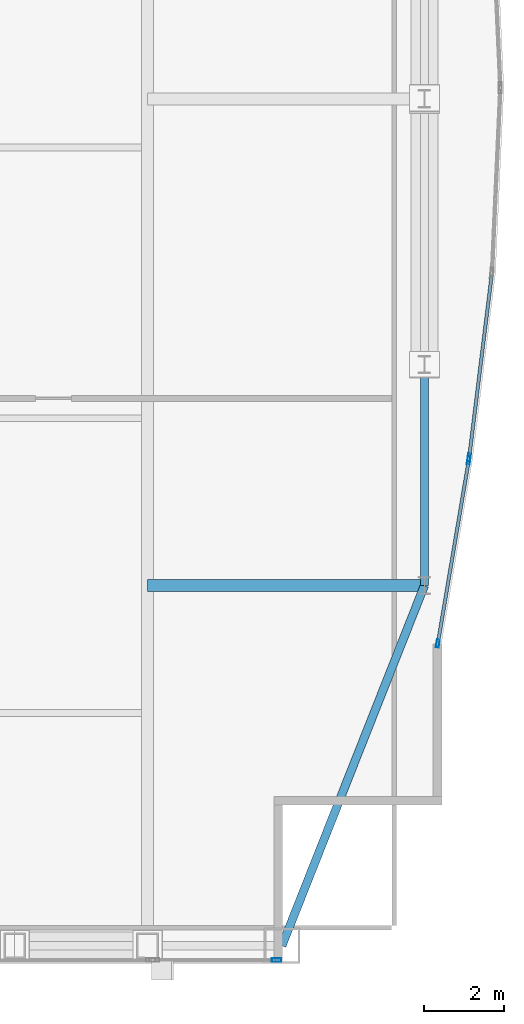
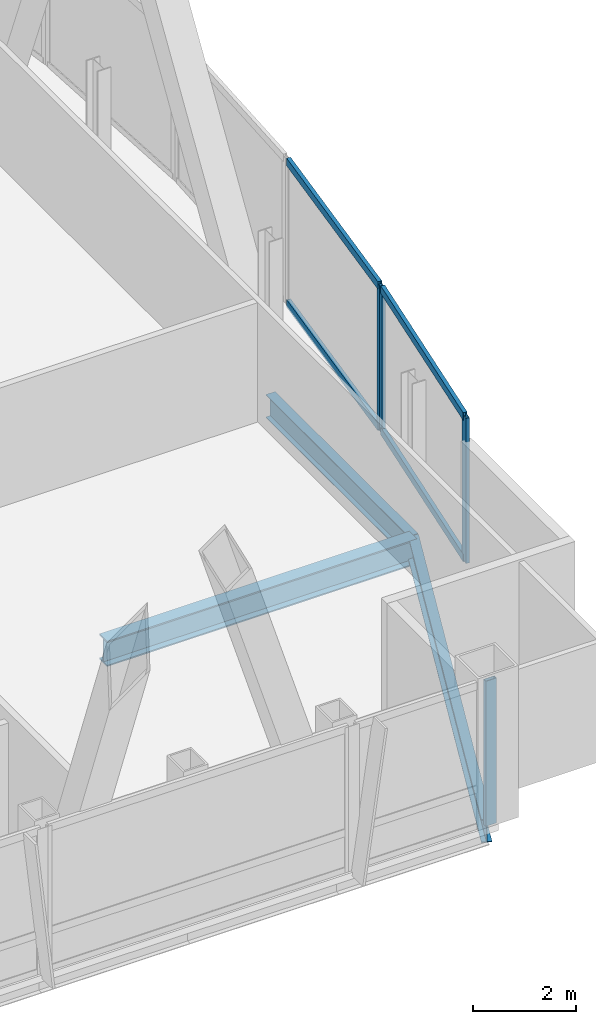
# One storey, part 15 of 29: 8 members, 3 beams, 3 elements without a shape of their own.
"""IFC4 building model written with IfcOpenShell, lengths in metres."""

from ifc_helpers import new_model, si_unit, direction, frame, origin, origin_2d, place, context, subcontext, project, spatial, hollow_rectangle, i_section, extrude, material, material_profile, profile_set, type_object, element, aggregate, save


model = new_model("IFC4")

# Units and contexts
model_context = context("Model", 3, precision=1e-05, world=origin(), true_north=direction((0.0, 1.0)))
body_context = subcontext(model_context, "Body", "Model", "MODEL_VIEW")
ifc_project = project(units=[si_unit("LENGTHUNIT", "METRE"), si_unit("AREAUNIT", "SQUARE_METRE"), si_unit("VOLUMEUNIT", "CUBIC_METRE"), si_unit("PLANEANGLEUNIT", "RADIAN"), si_unit("MASSUNIT", "GRAM", prefix="KILO")], contexts=[model_context])

# Site, building, storey
site_placement = place(None, origin())
site = spatial("IfcSite", under=ifc_project, at=site_placement, CompositionType="ELEMENT")
building_placement = place(site_placement, origin())
building = spatial("IfcBuilding", under=site, at=building_placement, Name="Khoronbel Lancet Exchange", CompositionType="ELEMENT")
storey_placement = place(building_placement, frame((0.0, 0.0, 336.199951171875)))
storey = spatial("IfcBuildingStorey", under=building, at=storey_placement, Name="L87", CompositionType="ELEMENT", Elevation=336.199951171875)

# Beams
ifc_material_1 = material(Name="Steel S355", Category="steel")
ifc_material_profile_1 = material_profile(ifc_material_1, i_section(OverallWidth=0.300048828125, OverallDepth=0.60009765625, WebThickness=0.015380859375, FlangeThickness=0.030029296875, at=origin_2d()), Name="HEB 600")
ifc_profile_set_1 = profile_set([ifc_material_profile_1], Name="Steel S355")
beam_type_1 = type_object("IfcBeamType", Name="BM-BG5", PredefinedType="BEAM", material=ifc_profile_set_1)
beam_1_placement = place(storey_placement, frame((54.675048828125, 19.199951171875, -0.4599609375), z_axis=(1.0, 0.0, 0.0), x_axis=(0.0, 1.0, 0.0)))
element("IfcBeam", 1, at=beam_1_placement, inside=storey, type_object=beam_type_1, Name="Level L87 east lens tie girder LG1E", PredefinedType="BEAM", context=body_context, shape_type="SweptSolid", body=[
    extrude(i_section(OverallWidth=0.300048828125, OverallDepth=0.60009765625, WebThickness=0.015380859375, FlangeThickness=0.030029296875, at=origin_2d()), origin(), (0.0, 0.0, 1.0), 6.954833984375),
])
ifc_material_profile_2 = material_profile(ifc_material_1, i_section(OverallWidth=0.2099609375, OverallDepth=0.550048828125, WebThickness=0.010986328125, FlangeThickness=0.01708984375, at=origin_2d()), Name="IPE 550")
ifc_profile_set_2 = profile_set([ifc_material_profile_2], Name="Steel S355")
beam_type_2 = type_object("IfcBeamType", Name="BM-BSP3", PredefinedType="SPANDREL", material=ifc_profile_set_2)
beam_2_placement = place(storey_placement, frame((58.050048828125, 10.14990234375, -0.43505859375), z_axis=(0.367828403855, 0.929893684954, 0.0), x_axis=(-0.929893684954, 0.367828403855, 0.0)))
element("IfcBeam", 2, at=beam_2_placement, inside=storey, type_object=beam_type_2, Name="Level L87 perimeter spandrel beam SP08", PredefinedType="SPANDREL", context=body_context, shape_type="SweptSolid", body=[
    extrude(i_section(OverallWidth=0.2099609375, OverallDepth=0.550048828125, WebThickness=0.010986328125, FlangeThickness=0.01708984375, at=origin_2d()), origin(), (0.0, 0.0, 1.0), 9.732421875),
])
beam_3_placement = place(storey_placement, frame((61.6298828125, 19.199951171875, -0.43505859375), z_axis=(0.0, 1.0, 0.0), x_axis=(-1.0, 0.0, 0.0)))
element("IfcBeam", 3, at=beam_3_placement, inside=storey, type_object=beam_type_2, Name="Level L87 perimeter spandrel beam SP09", PredefinedType="SPANDREL", context=body_context, shape_type="SweptSolid", body=[
    extrude(i_section(OverallWidth=0.2099609375, OverallDepth=0.550048828125, WebThickness=0.010986328125, FlangeThickness=0.01708984375, at=origin_2d()), origin(), (0.0, 0.0, 1.0), 5.550048828125),
])

# Curtain wall, member
ifc_material_2 = material(Name="Low-E Solar Control Insulating Glass", Category="glass")
curtain_wall_type_1 = type_object("IfcCurtainWallType", Name="CW-3", PredefinedType="NOTDEFINED", material=ifc_material_2)
curtain_wall_1_placement = place(storey_placement, origin())
curtain_wall_1 = element("IfcCurtainWall", 4, at=curtain_wall_1_placement, inside=storey, type_object=curtain_wall_type_1, Name="Unitised curtain wall CW-L87-SEV", PredefinedType="NOTDEFINED")
ifc_material_3 = material(Name="Bronze-Anodised Aluminium 6063-T6", Category="aluminium")
ifc_material_profile_3 = material_profile(ifc_material_3, hollow_rectangle(XDim=0.0849609375, YDim=0.239990234375, WallThickness=0.006103515625, at=origin_2d()), Name="ALU MULLION 85x240")
ifc_profile_set_3 = profile_set([ifc_material_profile_3], Name="Bronze-Anodised Aluminium 6063-T6")
member_type_1 = type_object("IfcMemberType", Name="MEM-CWM1", PredefinedType="MULLION", material=ifc_profile_set_3)
member_1_placement = place(storey_placement, frame((57.91748046875, 9.7900390625, 0.0), z_axis=(0.0, 0.0, 1.0), x_axis=(0.0, 1.0, 0.0)))
member_1 = element("IfcMember", 5, at=member_1_placement, type_object=member_type_1, Name="CW3 mullion 2", PredefinedType="MULLION", context=body_context, shape_type="SweptSolid", body=[
    extrude(hollow_rectangle(XDim=0.0849609375, YDim=0.239990234375, WallThickness=0.006103515625, at=origin_2d()), origin(), (0.0, 0.0, 1.0), 3.43994140625),
])
aggregate(curtain_wall_1, [member_1])

curtain_wall_type_2 = type_object("IfcCurtainWallType", Name="CW-4", PredefinedType="NOTDEFINED", material=ifc_material_2)
curtain_wall_2_placement = place(storey_placement, origin())
curtain_wall_2 = element("IfcCurtainWall", 6, at=curtain_wall_2_placement, inside=storey, type_object=curtain_wall_type_2, Name="Unitised curtain wall CW-L87-E21", PredefinedType="NOTDEFINED")
ifc_material_profile_4 = material_profile(ifc_material_3, hollow_rectangle(XDim=0.074951171875, YDim=0.199951171875, WallThickness=0.0048828125, at=origin_2d()), Name="ALU MULLION 75x200")
ifc_profile_set_4 = profile_set([ifc_material_profile_4], Name="Bronze-Anodised Aluminium 6063-T6")
member_type_2 = type_object("IfcMemberType", Name="MEM-CWM2", PredefinedType="MULLION", material=ifc_profile_set_4)
member_2_placement = place(storey_placement, frame((62.7529296875, 22.4169921875, 0.0), z_axis=(0.0, 0.0, 1.0), x_axis=(0.992456344352, -0.122598550384, 0.0)))
member_2 = element("IfcMember", 7, at=member_2_placement, type_object=member_type_2, Name="CW4 mullion 2", PredefinedType="MULLION", context=body_context, shape_type="SweptSolid", body=[
    extrude(hollow_rectangle(XDim=0.074951171875, YDim=0.199951171875, WallThickness=0.0048828125, at=origin_2d()), origin(), (0.0, 0.0, 1.0), 3.43994140625),
])

# Curtain wall, members
curtain_wall_3_placement = place(storey_placement, origin())
curtain_wall_3 = element("IfcCurtainWall", 8, at=curtain_wall_3_placement, inside=storey, type_object=curtain_wall_type_2, Name="Unitised curtain wall CW-L87-E22", PredefinedType="NOTDEFINED")
member_3_placement = place(storey_placement, frame((62.7421875, 22.3427734375, 0.0), z_axis=(0.0, 0.0, 1.0), x_axis=(0.986059939458, -0.166390491902, 0.0)))
member_3 = element("IfcMember", 9, at=member_3_placement, type_object=member_type_2, Name="CW4 mullion 1", PredefinedType="MULLION", context=body_context, shape_type="SweptSolid", body=[
    extrude(hollow_rectangle(XDim=0.074951171875, YDim=0.199951171875, WallThickness=0.0048828125, at=origin_2d()), origin(), (0.0, 0.0, 1.0), 3.43994140625),
])
member_4_placement = place(storey_placement, frame((61.96630859375, 17.744384765625, 0.0), z_axis=(0.0, 0.0, 1.0), x_axis=(0.986059939458, -0.166390491902, 0.0)))
member_4 = element("IfcMember", 10, at=member_4_placement, type_object=member_type_2, Name="CW4 mullion 2", PredefinedType="MULLION", context=body_context, shape_type="SweptSolid", body=[
    extrude(hollow_rectangle(XDim=0.074951171875, YDim=0.199951171875, WallThickness=0.0048828125, at=origin_2d()), origin(), (0.0, 0.0, 1.0), 3.43994140625),
])

# Member
ifc_material_profile_5 = material_profile(ifc_material_3, hollow_rectangle(XDim=0.0849609375, YDim=0.179931640625, WallThickness=0.0048828125, at=origin_2d()), Name="ALU TRANSOM 85x180")
ifc_profile_set_5 = profile_set([ifc_material_profile_5], Name="Bronze-Anodised Aluminium 6063-T6")
member_type_3 = type_object("IfcMemberType", Name="MEM-CWT1", PredefinedType="USERDEFINED", material=ifc_profile_set_5)
member_5_placement = place(storey_placement, frame((63.31494140625, 26.966552734375, 0.04248046875), z_axis=(-0.122587296853, -0.99245773444, 0.0), x_axis=(0.99245773444, -0.122587296853, 0.0)))
member_5 = element("IfcMember", 11, at=member_5_placement, type_object=member_type_3, Name="CW4 transom 1.1", ObjectType="TRANSOM", PredefinedType="USERDEFINED", context=body_context, shape_type="SweptSolid", body=[
    extrude(hollow_rectangle(XDim=0.0849609375, YDim=0.179931640625, WallThickness=0.0048828125, at=origin_2d()), origin(), (0.0, 0.0, 1.0), 4.546630859375),
])

member_6_placement = place(storey_placement, frame((63.31494140625, 26.966552734375, 3.3974609375), z_axis=(-0.122587296853, -0.99245773444, 0.0), x_axis=(0.99245773444, -0.122587296853, 0.0)))
member_6 = element("IfcMember", 12, at=member_6_placement, type_object=member_type_3, Name="CW4 transom 1.2", ObjectType="TRANSOM", PredefinedType="USERDEFINED", context=body_context, shape_type="SweptSolid", body=[
    extrude(hollow_rectangle(XDim=0.0849609375, YDim=0.179931640625, WallThickness=0.0048828125, at=origin_2d()), origin(), (0.0, 0.0, 1.0), 4.546630859375),
])

aggregate(curtain_wall_2, [member_2, member_5, member_6])

member_7_placement = place(storey_placement, frame((62.73583984375, 22.3056640625, 0.04248046875), z_axis=(-0.1663919204, -0.986059698409, 0.0), x_axis=(0.986059698409, -0.1663919204, 0.0)))
member_7 = element("IfcMember", 13, at=member_7_placement, type_object=member_type_3, Name="CW4 transom 1.1", ObjectType="TRANSOM", PredefinedType="USERDEFINED", context=body_context, shape_type="SweptSolid", body=[
    extrude(hollow_rectangle(XDim=0.0849609375, YDim=0.179931640625, WallThickness=0.0048828125, at=origin_2d()), origin(), (0.0, 0.0, 1.0), 4.588134765625),
])

member_8_placement = place(storey_placement, frame((62.73583984375, 22.3056640625, 3.3974609375), z_axis=(-0.1663919204, -0.986059698409, 0.0), x_axis=(0.986059698409, -0.1663919204, 0.0)))
member_8 = element("IfcMember", 14, at=member_8_placement, type_object=member_type_3, Name="CW4 transom 1.2", ObjectType="TRANSOM", PredefinedType="USERDEFINED", context=body_context, shape_type="SweptSolid", body=[
    extrude(hollow_rectangle(XDim=0.0849609375, YDim=0.179931640625, WallThickness=0.0048828125, at=origin_2d()), origin(), (0.0, 0.0, 1.0), 4.588134765625),
])

aggregate(curtain_wall_3, [member_3, member_4, member_7, member_8])

save(model, "model.ifc")
